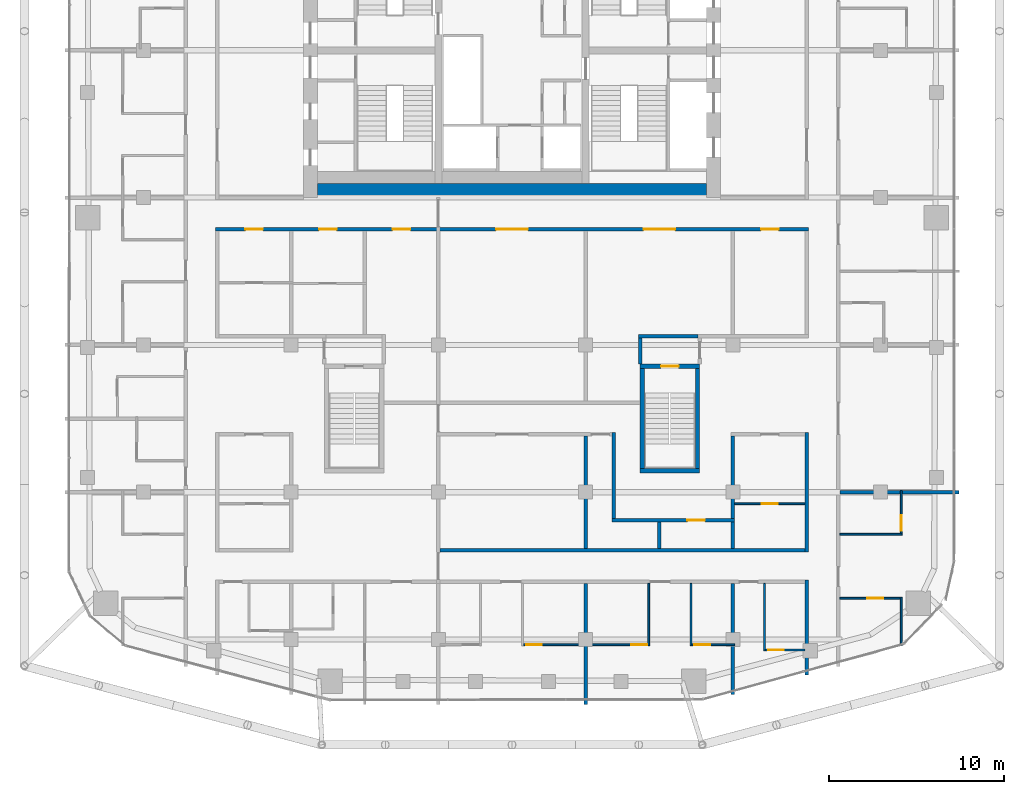
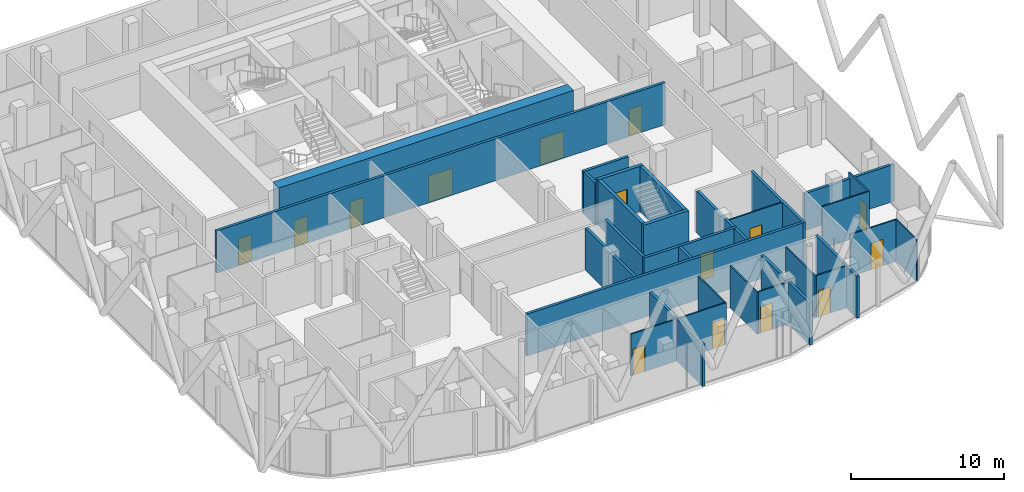
# One storey, part 22 of 28: 31 walls, 15 doors, 15 openings.
"""IFC4 building model written with IfcOpenShell, lengths in metres."""

from ifc_helpers import new_model, si_unit, direction, frame, frame_2d, origin, place, context, subcontext, project, spatial, rectangle, extrude, material, layer, layer_set, type_object, element, fill, save


model = new_model("IFC4")

# Units and contexts
model_context = context("Model", 3, precision=1e-05, world=origin(), true_north=direction((0.0, 1.0)))
body_context = subcontext(model_context, "Body", "Model", "MODEL_VIEW")
ifc_project = project(units=[si_unit("LENGTHUNIT", "METRE"), si_unit("AREAUNIT", "SQUARE_METRE"), si_unit("VOLUMEUNIT", "CUBIC_METRE"), si_unit("PLANEANGLEUNIT", "RADIAN"), si_unit("MASSUNIT", "GRAM", prefix="KILO")], contexts=[model_context])

# Site, building, storey
site_placement = place(None, origin())
site = spatial("IfcSite", under=ifc_project, at=site_placement, CompositionType="ELEMENT")
building_placement = place(site_placement, origin())
building = spatial("IfcBuilding", under=site, at=building_placement, Name="Marenta Gate Hotel Tower", CompositionType="ELEMENT")
storey_placement = place(building_placement, frame((0.0, 0.0, 198.5)))
storey = spatial("IfcBuildingStorey", under=building, at=storey_placement, Name="L45", CompositionType="ELEMENT", Elevation=198.5)

# Walls
ifc_material_1 = material(Name="Concrete C60", Category="concrete")
ifc_layer_1 = layer(ifc_material_1, 0.800048828125)
ifc_layer_set_1 = layer_set([ifc_layer_1], Name="Concrete C60")
wall_type_1 = type_object("IfcWallType", Name="Core wall 800 C60", PredefinedType="SHEAR", material=ifc_layer_set_1)
wall_1_placement = place(storey_placement, frame((-11.10009765625, 0.39990234375, 0.0), z_axis=(0.0, 0.0, 1.0), x_axis=(1.0, 0.0, 0.0)))
element("IfcWall", 1, at=wall_1_placement, inside=storey, type_object=wall_type_1, Name="L45-CORE-S", PredefinedType="SHEAR", context=body_context, shape_type="SweptSolid", body=[
    extrude(rectangle(XDim=22.2001953125, YDim=0.800048828125, at=frame_2d((11.10009765625, 0.0))), origin(), (0.0, 0.0, 1.0), 3.60009765625),
])
ifc_material_2 = material(Name="Concrete C40", Category="concrete")
ifc_layer_2 = layer(ifc_material_2, 0.25)
ifc_layer_set_2 = layer_set([ifc_layer_2], Name="Concrete C40")
wall_type_2 = type_object("IfcWallType", Name="Remote stair enclosure wall 250 REI 180", PredefinedType="SHEAR", material=ifc_layer_set_2)
wall_2_placement = place(storey_placement, frame((7.300048828125, -15.574951171875, 0.10009765625), z_axis=(0.0, 0.0, 1.0), x_axis=(1.0, 0.0, 0.0)))
element("IfcWall", 2, at=wall_2_placement, inside=storey, type_object=wall_type_2, Name="L45-RS-Z3-2-W1", PredefinedType="SHEAR", context=body_context, shape_type="SweptSolid", body=[
    extrude(rectangle(XDim=3.39990234375, YDim=0.25, at=frame_2d((1.699951171875, 0.0))), origin(), (0.0, 0.0, 1.0), 3.599853515625),
])

# Wall, opening, door
wall_3_placement = place(storey_placement, frame((7.300048828125, -9.625, 0.10009765625), z_axis=(0.0, 0.0, 1.0), x_axis=(1.0, 0.0, 0.0)))
wall_3 = element("IfcWall", 3, at=wall_3_placement, inside=storey, type_object=wall_type_2, Name="L45-RS-Z3-2-W2", PredefinedType="SHEAR", context=body_context, shape_type="SweptSolid", body=[
    extrude(rectangle(XDim=3.39990234375, YDim=0.25, at=frame_2d((1.699951171875, 0.0))), origin(), (0.0, 0.0, 1.0), 3.599853515625),
])
opening_1_placement = place(wall_3_placement, frame((1.199951171875, 0.0, 0.0)))
opening_1 = element("IfcOpeningElement", 4, at=opening_1_placement, cuts=wall_3, Name="Opening VD", PredefinedType="OPENING", context=body_context, shape_type="SweptSolid", body=[
    extrude(rectangle(XDim=1.0, YDim=2.10009765625, at=frame_2d((0.5, 1.050048828125))), frame((0.0, 0.125, 0.0), z_axis=(0.0, -1.0, 0.0), x_axis=(1.0, 0.0, 0.0)), (0.0, 0.0, 1.0), 0.25),
])
ifc_material_3 = material(Name="Steel", Category="steel")
door_type_1 = type_object("IfcDoorType", Name="Stair vestibule door 1000x2100 FD60", OperationType="SINGLE_SWING_LEFT", PredefinedType="DOOR", material=ifc_material_3)
door_1_placement = place(opening_1_placement, origin())
door_1 = element("IfcDoor", 5, at=door_1_placement, inside=storey, type_object=door_type_1, Name="VD", OperationType="SINGLE_SWING_LEFT", OverallHeight=2.10009765625, OverallWidth=1.0, PredefinedType="DOOR", context=body_context, shape_type="SweptSolid", body=[
    extrude(rectangle(XDim=1.0, YDim=2.10009765625, at=frame_2d((0.5, 1.050048828125))), frame((0.0, 0.02490234375, 0.0), z_axis=(0.0, -1.0, 0.0), x_axis=(1.0, 0.0, 0.0)), (0.0, 0.0, 1.0), 0.050048828125),
])
fill(opening_1, door_1)

# Walls
for number, where, z_axis, x_axis, name in (
    (6, (7.425048828125, -15.449951171875, 0.10009765625), (0.0, 0.0, 1.0), (0.0, 1.0, 0.0), "L45-RS-Z3-2-W3"),
    (7, (10.574951171875, -15.449951171875, 0.10009765625), (0.0, 0.0, 1.0), (0.0, 1.0, 0.0), "L45-RS-Z3-2-W4"),
):
    element("IfcWall", number, at=place(storey_placement, frame(where, z_axis=z_axis, x_axis=x_axis)), inside=storey, type_object=wall_type_2, Name=name, PredefinedType="SHEAR", context=body_context, shape_type="SweptSolid", body=[
        extrude(rectangle(XDim=5.699951171875, YDim=0.25, at=frame_2d((2.85009765625, 0.0))), origin(), (0.0, 0.0, 1.0), 3.599853515625),
    ])
ifc_material_4 = material(Name="Concrete blockwork", Category="masonry")
ifc_layer_3 = layer(ifc_material_4, 0.199951171875)
ifc_layer_set_3 = layer_set([ifc_layer_3], Name="Concrete blockwork")
wall_type_3 = type_object("IfcWallType", Name="Room corridor wall 200 EI 120", PredefinedType="PARTITIONING", material=ifc_layer_set_3)
wall_4_placement = place(storey_placement, frame((-4.10009765625, -20.10009765625, 0.0), z_axis=(0.0, 0.0, 1.0), x_axis=(1.0, 0.0, 0.0)))
element("IfcWall", 8, at=wall_4_placement, inside=storey, type_object=wall_type_3, Name="L45-PTN-W016", PredefinedType="PARTITIONING", context=body_context, shape_type="SweptSolid", body=[
    extrude(rectangle(XDim=20.800048828125, YDim=0.199951171875, at=frame_2d((10.39990234375, 0.0))), origin(), (0.0, 0.0, 1.0), 3.340087890625),
])
wall_5_placement = place(storey_placement, frame((16.800048828125, -20.199951171875, 0.0), z_axis=(0.0, 0.0, 1.0), x_axis=(0.0, 1.0, 0.0)))
element("IfcWall", 9, at=wall_5_placement, inside=storey, type_object=wall_type_3, Name="L45-PTN-W024", PredefinedType="PARTITIONING", context=body_context, shape_type="SweptSolid", body=[
    extrude(rectangle(XDim=6.800048828125, YDim=0.199951171875, at=frame_2d((3.39990234375, 0.0))), origin(), (0.0, 0.0, 1.0), 3.340087890625),
])
wall_6_placement = place(storey_placement, frame((12.60009765625, -18.300048828125, 0.0), z_axis=(0.0, 0.0, 1.0), x_axis=(0.0, 1.0, 0.0)))
element("IfcWall", 10, at=wall_6_placement, inside=storey, type_object=wall_type_3, Name="L45-PTN-W038", PredefinedType="PARTITIONING", context=body_context, shape_type="SweptSolid", body=[
    extrude(rectangle(XDim=4.699951171875, YDim=0.199951171875, at=frame_2d((2.35009765625, 0.0))), origin(), (0.0, 0.0, 1.0), 3.340087890625),
])

# Wall, openings, doors
wall_7_placement = place(storey_placement, frame((-16.89990234375, -1.800048828125, 0.0), z_axis=(0.0, 0.0, 1.0), x_axis=(1.0, 0.0, 0.0)))
wall_7 = element("IfcWall", 11, at=wall_7_placement, inside=storey, type_object=wall_type_3, Name="L45-PTN-W064", PredefinedType="PARTITIONING", context=body_context, shape_type="SweptSolid", body=[
    extrude(rectangle(XDim=33.7998046875, YDim=0.199951171875, at=frame_2d((16.89990234375, 0.0))), origin(), (0.0, 0.0, 1.0), 3.340087890625),
])
opening_2_placement = place(wall_7_placement, frame((1.699951171875, 0.0, 0.0)))
opening_2 = element("IfcOpeningElement", 12, at=opening_2_placement, cuts=wall_7, Name="Opening G16-01", PredefinedType="OPENING", context=body_context, shape_type="SweptSolid", body=[
    extrude(rectangle(XDim=1.0, YDim=2.10009765625, at=frame_2d((0.5, 1.050048828125))), frame((0.0, 0.10009765625, 0.0), z_axis=(0.0, -1.0, 0.0), x_axis=(1.0, 0.0, 0.0)), (0.0, 0.0, 1.0), 0.199951171875),
])
opening_3_placement = place(wall_7_placement, frame((5.89990234375, 0.0, 0.0)))
opening_3 = element("IfcOpeningElement", 13, at=opening_3_placement, cuts=wall_7, Name="Opening G16-03", PredefinedType="OPENING", context=body_context, shape_type="SweptSolid", body=[
    extrude(rectangle(XDim=1.0, YDim=2.10009765625, at=frame_2d((0.5, 1.050048828125))), frame((0.0, 0.10009765625, 0.0), z_axis=(0.0, -1.0, 0.0), x_axis=(1.0, 0.0, 0.0)), (0.0, 0.0, 1.0), 0.199951171875),
])
opening_4_placement = place(wall_7_placement, frame((10.10009765625, 0.0, 0.0)))
opening_4 = element("IfcOpeningElement", 14, at=opening_4_placement, cuts=wall_7, Name="Opening G16-05", PredefinedType="OPENING", context=body_context, shape_type="SweptSolid", body=[
    extrude(rectangle(XDim=1.0, YDim=2.10009765625, at=frame_2d((0.5, 1.050048828125))), frame((0.0, 0.10009765625, 0.0), z_axis=(0.0, -1.0, 0.0), x_axis=(1.0, 0.0, 0.0)), (0.0, 0.0, 1.0), 0.199951171875),
])
opening_5_placement = place(wall_7_placement, frame((16.0, 0.0, 0.0)))
opening_5 = element("IfcOpeningElement", 15, at=opening_5_placement, cuts=wall_7, Name="Opening G16-06", PredefinedType="OPENING", context=body_context, shape_type="SweptSolid", body=[
    extrude(rectangle(XDim=1.800048828125, YDim=2.10009765625, at=frame_2d((0.89990234375, 1.050048828125))), frame((0.0, 0.10009765625, 0.0), z_axis=(0.0, -1.0, 0.0), x_axis=(1.0, 0.0, 0.0)), (0.0, 0.0, 1.0), 0.199951171875),
])
opening_6_placement = place(wall_7_placement, frame((24.39990234375, 0.0, 0.0)))
opening_6 = element("IfcOpeningElement", 16, at=opening_6_placement, cuts=wall_7, Name="Opening G16-07", PredefinedType="OPENING", context=body_context, shape_type="SweptSolid", body=[
    extrude(rectangle(XDim=1.800048828125, YDim=2.10009765625, at=frame_2d((0.89990234375, 1.050048828125))), frame((0.0, 0.10009765625, 0.0), z_axis=(0.0, -1.0, 0.0), x_axis=(1.0, 0.0, 0.0)), (0.0, 0.0, 1.0), 0.199951171875),
])
opening_7_placement = place(wall_7_placement, frame((31.10009765625, 0.0, 0.0)))
opening_7 = element("IfcOpeningElement", 17, at=opening_7_placement, cuts=wall_7, Name="Opening G16-08", PredefinedType="OPENING", context=body_context, shape_type="SweptSolid", body=[
    extrude(rectangle(XDim=1.0, YDim=2.10009765625, at=frame_2d((0.5, 1.050048828125))), frame((0.0, 0.10009765625, 0.0), z_axis=(0.0, -1.0, 0.0), x_axis=(1.0, 0.0, 0.0)), (0.0, 0.0, 1.0), 0.199951171875),
])
ifc_material_5 = material(Name="Timber door leaf", Category="wood")
door_type_2 = type_object("IfcDoorType", Name="Room amenity door 1000x2100 EI 60", OperationType="NOTDEFINED", PredefinedType="DOOR", material=ifc_material_5)
door_2_placement = place(opening_4_placement, origin())
door_2 = element("IfcDoor", 18, at=door_2_placement, inside=storey, type_object=door_type_2, Name="L45-PD-D005", OperationType="SINGLE_SWING_RIGHT", OverallHeight=2.10009765625, OverallWidth=1.0, PredefinedType="DOOR", context=body_context, shape_type="SweptSolid", body=[
    extrude(rectangle(XDim=1.0, YDim=2.10009765625, at=frame_2d((0.5, 1.050048828125))), frame((0.0, 0.02490234375, 0.0), z_axis=(0.0, -1.0, 0.0), x_axis=(1.0, 0.0, 0.0)), (0.0, 0.0, 1.0), 0.050048828125),
])
fill(opening_4, door_2)
door_3_placement = place(opening_7_placement, origin())
door_3 = element("IfcDoor", 19, at=door_3_placement, inside=storey, type_object=door_type_2, Name="L45-PD-D008", OperationType="SINGLE_SWING_LEFT", OverallHeight=2.10009765625, OverallWidth=1.0, PredefinedType="DOOR", context=body_context, shape_type="SweptSolid", body=[
    extrude(rectangle(XDim=1.0, YDim=2.10009765625, at=frame_2d((0.5, 1.050048828125))), frame((0.0, 0.02490234375, 0.0), z_axis=(0.0, -1.0, 0.0), x_axis=(1.0, 0.0, 0.0)), (0.0, 0.0, 1.0), 0.050048828125),
])
fill(opening_7, door_3)
ifc_material_6 = material(Name="Timber door leaf", Category="wood")
door_type_3 = type_object("IfcDoorType", Name="Room amenity door 1800x2100 EI 60", OperationType="DOUBLE_DOOR_SINGLE_SWING", PredefinedType="DOOR", material=ifc_material_6)
door_4_placement = place(opening_5_placement, origin())
door_4 = element("IfcDoor", 20, at=door_4_placement, inside=storey, type_object=door_type_3, Name="L45-PD-D006", OperationType="DOUBLE_DOOR_SINGLE_SWING", OverallHeight=2.10009765625, OverallWidth=1.800048828125, PredefinedType="DOOR", context=body_context, shape_type="SweptSolid", body=[
    extrude(rectangle(XDim=1.800048828125, YDim=2.10009765625, at=frame_2d((0.89990234375, 1.050048828125))), frame((0.0, 0.02490234375, 0.0), z_axis=(0.0, -1.0, 0.0), x_axis=(1.0, 0.0, 0.0)), (0.0, 0.0, 1.0), 0.050048828125),
])
fill(opening_5, door_4)
door_5_placement = place(opening_6_placement, origin())
door_5 = element("IfcDoor", 21, at=door_5_placement, inside=storey, type_object=door_type_3, Name="L45-PD-D007", OperationType="DOUBLE_DOOR_SINGLE_SWING", OverallHeight=2.10009765625, OverallWidth=1.800048828125, PredefinedType="DOOR", context=body_context, shape_type="SweptSolid", body=[
    extrude(rectangle(XDim=1.800048828125, YDim=2.10009765625, at=frame_2d((0.89990234375, 1.050048828125))), frame((0.0, 0.02490234375, 0.0), z_axis=(0.0, -1.0, 0.0), x_axis=(1.0, 0.0, 0.0)), (0.0, 0.0, 1.0), 0.050048828125),
])
fill(opening_6, door_5)
ifc_material_7 = material(Name="Hollow steel door set", Category="steel")
door_type_4 = type_object("IfcDoorType", Name="Room service door 1000x2100 EI 60", OperationType="NOTDEFINED", PredefinedType="DOOR", material=ifc_material_7)
door_6_placement = place(opening_2_placement, origin())
door_6 = element("IfcDoor", 22, at=door_6_placement, inside=storey, type_object=door_type_4, Name="L45-PD-D001", OperationType="SINGLE_SWING_LEFT", OverallHeight=2.10009765625, OverallWidth=1.0, PredefinedType="DOOR", context=body_context, shape_type="SweptSolid", body=[
    extrude(rectangle(XDim=1.0, YDim=2.10009765625, at=frame_2d((0.5, 1.050048828125))), frame((0.0, 0.02490234375, 0.0), z_axis=(0.0, -1.0, 0.0), x_axis=(1.0, 0.0, 0.0)), (0.0, 0.0, 1.0), 0.050048828125),
])
fill(opening_2, door_6)
door_7_placement = place(opening_3_placement, origin())
door_7 = element("IfcDoor", 23, at=door_7_placement, inside=storey, type_object=door_type_4, Name="L45-PD-D003", OperationType="SINGLE_SWING_LEFT", OverallHeight=2.10009765625, OverallWidth=1.0, PredefinedType="DOOR", context=body_context, shape_type="SweptSolid", body=[
    extrude(rectangle(XDim=1.0, YDim=2.10009765625, at=frame_2d((0.5, 1.050048828125))), frame((0.0, 0.02490234375, 0.0), z_axis=(0.0, -1.0, 0.0), x_axis=(1.0, 0.0, 0.0)), (0.0, 0.0, 1.0), 0.050048828125),
])
fill(opening_3, door_7)

# Wall, opening, door
ifc_material_8 = material(Name="Gypsum board on steel stud", Category="steel")
ifc_layer_4 = layer(ifc_material_8, 0.199951171875)
ifc_layer_set_4 = layer_set([ifc_layer_4], Name="Gypsum board on steel stud")
wall_type_4 = type_object("IfcWallType", Name="Room corridor wall 200 EI 60", PredefinedType="PARTITIONING", material=ifc_layer_set_4)
wall_8_placement = place(storey_placement, frame((5.699951171875, -18.39990234375, 0.0), z_axis=(0.0, 0.0, 1.0), x_axis=(1.0, 0.0, 0.0)))
wall_8 = element("IfcWall", 24, at=wall_8_placement, inside=storey, type_object=wall_type_4, Name="L45-PTN-W020", PredefinedType="PARTITIONING", context=body_context, shape_type="SweptSolid", body=[
    extrude(rectangle(XDim=7.0, YDim=0.199951171875, at=frame_2d((3.5, 0.0))), origin(), (0.0, 0.0, 1.0), 3.340087890625),
])
opening_8_placement = place(wall_8_placement, frame((4.300048828125, 0.0, 0.0)))
opening_8 = element("IfcOpeningElement", 25, at=opening_8_placement, cuts=wall_8, Name="Opening G16-13", PredefinedType="OPENING", context=body_context, shape_type="SweptSolid", body=[
    extrude(rectangle(XDim=1.0, YDim=2.10009765625, at=frame_2d((0.5, 1.050048828125))), frame((0.0, 0.10009765625, 0.0), z_axis=(0.0, -1.0, 0.0), x_axis=(1.0, 0.0, 0.0)), (0.0, 0.0, 1.0), 0.199951171875),
])
ifc_material_9 = material(Name="Timber door leaf", Category="wood")
door_type_5 = type_object("IfcDoorType", Name="Room amenity door 1000x2100 EI 30", OperationType="NOTDEFINED", PredefinedType="DOOR", material=ifc_material_9)
door_8_placement = place(opening_8_placement, origin())
door_8 = element("IfcDoor", 26, at=door_8_placement, inside=storey, type_object=door_type_5, Name="L45-PD-D013", OperationType="SINGLE_SWING_RIGHT", OverallHeight=2.10009765625, OverallWidth=1.0, PredefinedType="DOOR", context=body_context, shape_type="SweptSolid", body=[
    extrude(rectangle(XDim=1.0, YDim=2.10009765625, at=frame_2d((0.5, 1.050048828125))), frame((0.0, 0.02490234375, 0.0), z_axis=(0.0, -1.0, 0.0), x_axis=(1.0, 0.0, 0.0)), (0.0, 0.0, 1.0), 0.050048828125),
])
fill(opening_8, door_8)

# Walls
wall_9_placement = place(storey_placement, frame((16.800048828125, -27.22900390625, 0.0), z_axis=(0.0, 0.0, 1.0), x_axis=(0.0, 1.0, 0.0)))
element("IfcWall", 27, at=wall_9_placement, inside=storey, type_object=wall_type_4, Name="L45-PTN-W023", PredefinedType="PARTITIONING", context=body_context, shape_type="SweptSolid", body=[
    extrude(rectangle(XDim=5.428955078125, YDim=0.199951171875, at=frame_2d((2.71435546875, 0.0))), origin(), (0.0, 0.0, 1.0), 3.340087890625),
])
wall_10_placement = place(storey_placement, frame((5.800048828125, -18.300048828125, 0.0), z_axis=(0.0, 0.0, 1.0), x_axis=(0.0, 1.0, 0.0)))
element("IfcWall", 28, at=wall_10_placement, inside=storey, type_object=wall_type_4, Name="L45-PTN-W054", PredefinedType="PARTITIONING", context=body_context, shape_type="SweptSolid", body=[
    extrude(rectangle(XDim=4.900146484375, YDim=0.199951171875, at=frame_2d((2.4501953125, 0.0))), origin(), (0.0, 0.0, 1.0), 3.340087890625),
])

# Wall, opening, door
ifc_material_10 = material(Name="Gypsum board on steel stud", Category="steel")
ifc_layer_5 = layer(ifc_material_10, 0.10009765625)
ifc_layer_set_5 = layer_set([ifc_layer_5], Name="Gypsum board on steel stud")
wall_type_5 = type_object("IfcWallType", Name="Room partition 100", PredefinedType="PARTITIONING", material=ifc_layer_set_5)
wall_11_placement = place(storey_placement, frame((14.449951171875, -25.800048828125, 0.0), z_axis=(0.0, 0.0, 1.0), x_axis=(1.0, 0.0, 0.0)))
wall_11 = element("IfcWall", 29, at=wall_11_placement, inside=storey, type_object=wall_type_5, Name="L45-PTN-W001", PredefinedType="PARTITIONING", context=body_context, shape_type="SweptSolid", body=[
    extrude(rectangle(XDim=2.25, YDim=0.10009765625, at=frame_2d((1.125, 0.0))), origin(), (0.0, 0.0, 1.0), 3.340087890625),
])
opening_9_placement = place(wall_11_placement, frame((0.14990234375, 0.0, 0.0)))
opening_9 = element("IfcOpeningElement", 30, at=opening_9_placement, cuts=wall_11, Name="Opening G16-45", PredefinedType="OPENING", context=body_context, shape_type="SweptSolid", body=[
    extrude(rectangle(XDim=0.89990234375, YDim=2.10009765625, at=frame_2d((0.449951171875, 1.050048828125))), frame((0.0, 0.050048828125, 0.0), z_axis=(0.0, -1.0, 0.0), x_axis=(1.0, 0.0, 0.0)), (0.0, 0.0, 1.0), 0.10009765625),
])
ifc_material_11 = material(Name="Timber door leaf", Category="wood")
door_type_6 = type_object("IfcDoorType", Name="Guest bathroom door 900x2100", OperationType="NOTDEFINED", PredefinedType="DOOR", material=ifc_material_11)
door_9_placement = place(opening_9_placement, origin())
door_9 = element("IfcDoor", 31, at=door_9_placement, inside=storey, type_object=door_type_6, Name="L45-PD-D045", OperationType="SINGLE_SWING_LEFT", OverallHeight=2.10009765625, OverallWidth=0.89990234375, PredefinedType="DOOR", context=body_context, shape_type="SweptSolid", body=[
    extrude(rectangle(XDim=0.89990234375, YDim=2.10009765625, at=frame_2d((0.449951171875, 1.050048828125))), frame((0.0, 0.02490234375, 0.0), z_axis=(0.0, -1.0, 0.0), x_axis=(1.0, 0.0, 0.0)), (0.0, 0.0, 1.0), 0.050048828125),
])
fill(opening_9, door_9)

# Wall, openings, doors
wall_12_placement = place(storey_placement, frame((0.64990234375, -25.5, 0.0), z_axis=(0.0, 0.0, 1.0), x_axis=(1.0, 0.0, 0.0)))
wall_12 = element("IfcWall", 32, at=wall_12_placement, inside=storey, type_object=wall_type_5, Name="L45-PTN-W003", PredefinedType="PARTITIONING", context=body_context, shape_type="SweptSolid", body=[
    extrude(rectangle(XDim=7.2001953125, YDim=0.10009765625, at=frame_2d((3.60009765625, 0.0))), origin(), (0.0, 0.0, 1.0), 3.340087890625),
])
opening_10_placement = place(wall_12_placement, frame((0.14990234375, 0.0, 0.0)))
opening_10 = element("IfcOpeningElement", 33, at=opening_10_placement, cuts=wall_12, Name="Opening G16-39", PredefinedType="OPENING", context=body_context, shape_type="SweptSolid", body=[
    extrude(rectangle(XDim=0.89990234375, YDim=2.10009765625, at=frame_2d((0.449951171875, 1.050048828125))), frame((0.0, 0.050048828125, 0.0), z_axis=(0.0, -1.0, 0.0), x_axis=(1.0, 0.0, 0.0)), (0.0, 0.0, 1.0), 0.10009765625),
])
opening_11_placement = place(wall_12_placement, frame((6.14990234375, 0.0, 0.0)))
opening_11 = element("IfcOpeningElement", 34, at=opening_11_placement, cuts=wall_12, Name="Opening G16-42", PredefinedType="OPENING", context=body_context, shape_type="SweptSolid", body=[
    extrude(rectangle(XDim=0.89990234375, YDim=2.10009765625, at=frame_2d((0.449951171875, 1.050048828125))), frame((0.0, 0.050048828125, 0.0), z_axis=(0.0, -1.0, 0.0), x_axis=(1.0, 0.0, 0.0)), (0.0, 0.0, 1.0), 0.10009765625),
])
door_10_placement = place(opening_10_placement, origin())
door_10 = element("IfcDoor", 35, at=door_10_placement, inside=storey, type_object=door_type_6, Name="L45-PD-D039", OperationType="SINGLE_SWING_LEFT", OverallHeight=2.10009765625, OverallWidth=0.89990234375, PredefinedType="DOOR", context=body_context, shape_type="SweptSolid", body=[
    extrude(rectangle(XDim=0.89990234375, YDim=2.10009765625, at=frame_2d((0.449951171875, 1.050048828125))), frame((0.0, 0.02490234375, 0.0), z_axis=(0.0, -1.0, 0.0), x_axis=(1.0, 0.0, 0.0)), (0.0, 0.0, 1.0), 0.050048828125),
])
fill(opening_10, door_10)
door_11_placement = place(opening_11_placement, origin())
door_11 = element("IfcDoor", 36, at=door_11_placement, inside=storey, type_object=door_type_6, Name="L45-PD-D042", OperationType="SINGLE_SWING_RIGHT", OverallHeight=2.10009765625, OverallWidth=0.89990234375, PredefinedType="DOOR", context=body_context, shape_type="SweptSolid", body=[
    extrude(rectangle(XDim=0.89990234375, YDim=2.10009765625, at=frame_2d((0.449951171875, 1.050048828125))), frame((0.0, 0.02490234375, 0.0), z_axis=(0.0, -1.0, 0.0), x_axis=(1.0, 0.0, 0.0)), (0.0, 0.0, 1.0), 0.050048828125),
])
fill(opening_11, door_11)

# Wall, opening, door
wall_13_placement = place(storey_placement, frame((10.25, -25.5, 0.0), z_axis=(0.0, 0.0, 1.0), x_axis=(1.0, 0.0, 0.0)))
wall_13 = element("IfcWall", 37, at=wall_13_placement, inside=storey, type_object=wall_type_5, Name="L45-PTN-W004", PredefinedType="PARTITIONING", context=body_context, shape_type="SweptSolid", body=[
    extrude(rectangle(XDim=2.449951171875, YDim=0.10009765625, at=frame_2d((1.22509765625, 0.0))), origin(), (0.0, 0.0, 1.0), 3.340087890625),
])
opening_12_placement = place(wall_13_placement, frame((0.14990234375, 0.0, 0.0)))
opening_12 = element("IfcOpeningElement", 38, at=opening_12_placement, cuts=wall_13, Name="Opening G16-43", PredefinedType="OPENING", context=body_context, shape_type="SweptSolid", body=[
    extrude(rectangle(XDim=0.89990234375, YDim=2.10009765625, at=frame_2d((0.449951171875, 1.050048828125))), frame((0.0, 0.050048828125, 0.0), z_axis=(0.0, -1.0, 0.0), x_axis=(1.0, 0.0, 0.0)), (0.0, 0.0, 1.0), 0.10009765625),
])
ifc_material_12 = material(Name="Timber door leaf", Category="wood")
door_type_7 = type_object("IfcDoorType", Name="Room inner door 900x2100", OperationType="NOTDEFINED", PredefinedType="DOOR", material=ifc_material_12)
door_12_placement = place(opening_12_placement, origin())
door_12 = element("IfcDoor", 39, at=door_12_placement, inside=storey, type_object=door_type_7, Name="L45-PD-D043", OperationType="SINGLE_SWING_LEFT", OverallHeight=2.10009765625, OverallWidth=0.89990234375, PredefinedType="DOOR", context=body_context, shape_type="SweptSolid", body=[
    extrude(rectangle(XDim=0.89990234375, YDim=2.10009765625, at=frame_2d((0.449951171875, 1.050048828125))), frame((0.0, 0.02490234375, 0.0), z_axis=(0.0, -1.0, 0.0), x_axis=(1.0, 0.0, 0.0)), (0.0, 0.0, 1.0), 0.050048828125),
])
fill(opening_12, door_12)

wall_14_placement = place(storey_placement, frame((18.699951171875, -22.85107421875, 0.0), z_axis=(0.0, 0.0, 1.0), x_axis=(1.0, 0.0, 0.0)))
wall_14 = element("IfcWall", 40, at=wall_14_placement, inside=storey, type_object=wall_type_5, Name="L45-PTN-W008", PredefinedType="PARTITIONING", context=body_context, shape_type="SweptSolid", body=[
    extrude(rectangle(XDim=3.449951171875, YDim=0.10009765625, at=frame_2d((1.72509765625, 0.0))), origin(), (0.0, 0.0, 1.0), 3.340087890625),
])
opening_13_placement = place(wall_14_placement, frame((1.56005859375, 0.0, 0.0)))
opening_13 = element("IfcOpeningElement", 41, at=opening_13_placement, cuts=wall_14, Name="Opening G16-17", PredefinedType="OPENING", context=body_context, shape_type="SweptSolid", body=[
    extrude(rectangle(XDim=0.89990234375, YDim=2.10009765625, at=frame_2d((0.449951171875, 1.050048828125))), frame((0.0, 0.050048828125, 0.0), z_axis=(0.0, -1.0, 0.0), x_axis=(1.0, 0.0, 0.0)), (0.0, 0.0, 1.0), 0.10009765625),
])
door_13_placement = place(opening_13_placement, origin())
door_13 = element("IfcDoor", 42, at=door_13_placement, inside=storey, type_object=door_type_6, Name="L45-PD-D017", OperationType="SINGLE_SWING_LEFT", OverallHeight=2.10009765625, OverallWidth=0.89990234375, PredefinedType="DOOR", context=body_context, shape_type="SweptSolid", body=[
    extrude(rectangle(XDim=0.89990234375, YDim=2.10009765625, at=frame_2d((0.449951171875, 1.050048828125))), frame((0.0, 0.02490234375, 0.0), z_axis=(0.0, -1.0, 0.0), x_axis=(1.0, 0.0, 0.0)), (0.0, 0.0, 1.0), 0.050048828125),
])
fill(opening_13, door_13)

# Wall
wall_15_placement = place(storey_placement, frame((22.199951171875, -25.552001953125, 0.0), z_axis=(0.0, 0.0, 1.0), x_axis=(0.0, 1.0, 0.0)))
element("IfcWall", 43, at=wall_15_placement, inside=storey, type_object=wall_type_5, Name="L45-PTN-W011", PredefinedType="PARTITIONING", context=body_context, shape_type="SweptSolid", body=[
    extrude(rectangle(XDim=2.7509765625, YDim=0.10009765625, at=frame_2d((1.37548828125, 0.0))), origin(), (0.0, 0.0, 1.0), 3.340087890625),
])

# Wall, opening, door
wall_16_placement = place(storey_placement, frame((22.199951171875, -19.14990234375, 0.0), z_axis=(0.0, 0.0, 1.0), x_axis=(0.0, 1.0, 0.0)))
wall_16 = element("IfcWall", 44, at=wall_16_placement, inside=storey, type_object=wall_type_5, Name="L45-PTN-W012", PredefinedType="PARTITIONING", context=body_context, shape_type="SweptSolid", body=[
    extrude(rectangle(XDim=2.449951171875, YDim=0.10009765625, at=frame_2d((1.22509765625, 0.0))), origin(), (0.0, 0.0, 1.0), 3.340087890625),
])
opening_14_placement = place(wall_16_placement, frame((0.14990234375, 0.0, 0.0)))
opening_14 = element("IfcOpeningElement", 45, at=opening_14_placement, cuts=wall_16, Name="Opening G16-18", PredefinedType="OPENING", context=body_context, shape_type="SweptSolid", body=[
    extrude(rectangle(XDim=0.89990234375, YDim=2.10009765625, at=frame_2d((0.449951171875, 1.050048828125))), frame((0.0, 0.050048828125, 0.0), z_axis=(0.0, -1.0, 0.0), x_axis=(1.0, 0.0, 0.0)), (0.0, 0.0, 1.0), 0.10009765625),
])
door_14_placement = place(opening_14_placement, origin())
door_14 = element("IfcDoor", 46, at=door_14_placement, inside=storey, type_object=door_type_7, Name="L45-PD-D018", OperationType="SINGLE_SWING_LEFT", OverallHeight=2.10009765625, OverallWidth=0.89990234375, PredefinedType="DOOR", context=body_context, shape_type="SweptSolid", body=[
    extrude(rectangle(XDim=0.89990234375, YDim=2.10009765625, at=frame_2d((0.449951171875, 1.050048828125))), frame((0.0, 0.02490234375, 0.0), z_axis=(0.0, -1.0, 0.0), x_axis=(1.0, 0.0, 0.0)), (0.0, 0.0, 1.0), 0.050048828125),
])
fill(opening_14, door_14)

# Wall
wall_17_placement = place(storey_placement, frame((18.699951171875, -19.199951171875, 0.0), z_axis=(0.0, 0.0, 1.0), x_axis=(1.0, 0.0, 0.0)))
element("IfcWall", 47, at=wall_17_placement, inside=storey, type_object=wall_type_5, Name="L45-PTN-W018", PredefinedType="PARTITIONING", context=body_context, shape_type="SweptSolid", body=[
    extrude(rectangle(XDim=3.550048828125, YDim=0.10009765625, at=frame_2d((1.77490234375, 0.0))), origin(), (0.0, 0.0, 1.0), 3.340087890625),
])

# Wall, opening, door
wall_18_placement = place(storey_placement, frame((12.699951171875, -17.4599609375, 0.0), z_axis=(0.0, 0.0, 1.0), x_axis=(1.0, 0.0, 0.0)))
wall_18 = element("IfcWall", 48, at=wall_18_placement, inside=storey, type_object=wall_type_5, Name="L45-PTN-W022", PredefinedType="PARTITIONING", context=body_context, shape_type="SweptSolid", body=[
    extrude(rectangle(XDim=4.0, YDim=0.10009765625, at=frame_2d((2.0, 0.0))), origin(), (0.0, 0.0, 1.0), 3.340087890625),
])
opening_15_placement = place(wall_18_placement, frame((1.550048828125, 0.0, 0.0)))
opening_15 = element("IfcOpeningElement", 49, at=opening_15_placement, cuts=wall_18, Name="Opening G16-15", PredefinedType="OPENING", context=body_context, shape_type="SweptSolid", body=[
    extrude(rectangle(XDim=0.89990234375, YDim=2.10009765625, at=frame_2d((0.449951171875, 1.050048828125))), frame((0.0, 0.050048828125, 0.0), z_axis=(0.0, -1.0, 0.0), x_axis=(1.0, 0.0, 0.0)), (0.0, 0.0, 1.0), 0.10009765625),
])
door_15_placement = place(opening_15_placement, origin())
door_15 = element("IfcDoor", 50, at=door_15_placement, inside=storey, type_object=door_type_7, Name="L45-PD-D015", OperationType="SINGLE_SWING_RIGHT", OverallHeight=2.10009765625, OverallWidth=0.89990234375, PredefinedType="DOOR", context=body_context, shape_type="SweptSolid", body=[
    extrude(rectangle(XDim=0.89990234375, YDim=2.10009765625, at=frame_2d((0.449951171875, 1.050048828125))), frame((0.0, 0.02490234375, 0.0), z_axis=(0.0, -1.0, 0.0), x_axis=(1.0, 0.0, 0.0)), (0.0, 0.0, 1.0), 0.050048828125),
])
fill(opening_15, door_15)

# Walls
wall_19_placement = place(storey_placement, frame((14.39990234375, -25.85009765625, 0.0), z_axis=(0.0, 0.0, 1.0), x_axis=(0.0, 1.0, 0.0)))
element("IfcWall", 51, at=wall_19_placement, inside=storey, type_object=wall_type_5, Name="L45-PTN-W030", PredefinedType="PARTITIONING", context=body_context, shape_type="SweptSolid", body=[
    extrude(rectangle(XDim=3.85009765625, YDim=0.10009765625, at=frame_2d((1.925048828125, 0.0))), origin(), (0.0, 0.0, 1.0), 3.340087890625),
])
wall_20_placement = place(storey_placement, frame((10.199951171875, -25.550048828125, 0.0), z_axis=(0.0, 0.0, 1.0), x_axis=(0.0, 1.0, 0.0)))
element("IfcWall", 52, at=wall_20_placement, inside=storey, type_object=wall_type_5, Name="L45-PTN-W042", PredefinedType="PARTITIONING", context=body_context, shape_type="SweptSolid", body=[
    extrude(rectangle(XDim=3.550048828125, YDim=0.10009765625, at=frame_2d((1.77490234375, 0.0))), origin(), (0.0, 0.0, 1.0), 3.340087890625),
])
wall_21_placement = place(storey_placement, frame((7.800048828125, -25.449951171875, 0.0), z_axis=(0.0, 0.0, 1.0), x_axis=(0.0, 1.0, 0.0)))
element("IfcWall", 53, at=wall_21_placement, inside=storey, type_object=wall_type_5, Name="L45-PTN-W051", PredefinedType="PARTITIONING", context=body_context, shape_type="SweptSolid", body=[
    extrude(rectangle(XDim=3.449951171875, YDim=0.10009765625, at=frame_2d((1.72509765625, 0.0))), origin(), (0.0, 0.0, 1.0), 3.340087890625),
])
ifc_material_13 = material(Name="Concrete blockwork", Category="masonry")
ifc_layer_6 = layer(ifc_material_13, 0.199951171875)
ifc_layer_set_6 = layer_set([ifc_layer_6], Name="Concrete blockwork")
wall_type_6 = type_object("IfcWallType", Name="Room party wall 200 EI 120", PredefinedType="PARTITIONING", material=ifc_layer_set_6)
wall_22_placement = place(storey_placement, frame((12.60009765625, -20.0, 0.0), z_axis=(0.0, 0.0, 1.0), x_axis=(0.0, 1.0, 0.0)))
element("IfcWall", 54, at=wall_22_placement, inside=storey, type_object=wall_type_6, Name="L45-PTN-W035", PredefinedType="PARTITIONING", context=body_context, shape_type="SweptSolid", body=[
    extrude(rectangle(XDim=1.5, YDim=0.199951171875, at=frame_2d((0.75, 0.0))), origin(), (0.0, 0.0, 1.0), 3.340087890625),
])
ifc_material_14 = material(Name="Gypsum board on steel stud", Category="steel")
ifc_layer_7 = layer(ifc_material_14, 0.199951171875)
ifc_layer_set_7 = layer_set([ifc_layer_7], Name="Gypsum board on steel stud")
wall_type_7 = type_object("IfcWallType", Name="Room party wall 200 EI 60", PredefinedType="PARTITIONING", material=ifc_layer_set_7)
wall_23_placement = place(storey_placement, frame((18.699951171875, -16.800048828125, 0.0), z_axis=(0.0, 0.0, 1.0), x_axis=(1.0, 0.0, 0.0)))
element("IfcWall", 55, at=wall_23_placement, inside=storey, type_object=wall_type_7, Name="L45-PTN-W028", PredefinedType="PARTITIONING", context=body_context, shape_type="SweptSolid", body=[
    extrude(rectangle(XDim=6.800048828125, YDim=0.199951171875, at=frame_2d((3.39990234375, 0.0))), origin(), (0.0, 0.0, 1.0), 2.93994140625),
])
wall_24_placement = place(storey_placement, frame((12.60009765625, -28.343017578125, 0.0), z_axis=(0.0, 0.0, 1.0), x_axis=(0.0, 1.0, 0.0)))
element("IfcWall", 56, at=wall_24_placement, inside=storey, type_object=wall_type_7, Name="L45-PTN-W034", PredefinedType="PARTITIONING", context=body_context, shape_type="SweptSolid", body=[
    extrude(rectangle(XDim=6.343017578125, YDim=0.199951171875, at=frame_2d((3.17138671875, 0.0))), origin(), (0.0, 0.0, 1.0), 3.340087890625),
])
wall_25_placement = place(storey_placement, frame((8.39990234375, -20.0, 0.0), z_axis=(0.0, 0.0, 1.0), x_axis=(0.0, 1.0, 0.0)))
element("IfcWall", 57, at=wall_25_placement, inside=storey, type_object=wall_type_7, Name="L45-PTN-W044", PredefinedType="PARTITIONING", context=body_context, shape_type="SweptSolid", body=[
    extrude(rectangle(XDim=1.5, YDim=0.199951171875, at=frame_2d((0.75, 0.0))), origin(), (0.0, 0.0, 1.0), 3.340087890625),
])
wall_26_placement = place(storey_placement, frame((4.199951171875, -28.89990234375, 0.0), z_axis=(0.0, 0.0, 1.0), x_axis=(0.0, 1.0, 0.0)))
element("IfcWall", 58, at=wall_26_placement, inside=storey, type_object=wall_type_7, Name="L45-PTN-W058", PredefinedType="PARTITIONING", context=body_context, shape_type="SweptSolid", body=[
    extrude(rectangle(XDim=6.89990234375, YDim=0.199951171875, at=frame_2d((3.449951171875, 0.0))), origin(), (0.0, 0.0, 1.0), 3.340087890625),
])
wall_27_placement = place(storey_placement, frame((4.199951171875, -20.0, 0.0), z_axis=(0.0, 0.0, 1.0), x_axis=(0.0, 1.0, 0.0)))
element("IfcWall", 59, at=wall_27_placement, inside=storey, type_object=wall_type_7, Name="L45-PTN-W059", PredefinedType="PARTITIONING", context=body_context, shape_type="SweptSolid", body=[
    extrude(rectangle(XDim=6.39990234375, YDim=0.199951171875, at=frame_2d((3.199951171875, 0.0))), origin(), (0.0, 0.0, 1.0), 3.340087890625),
])
ifc_material_15 = material(Name="Concrete blockwork", Category="masonry")
ifc_layer_8 = layer(ifc_material_15, 0.199951171875)
ifc_layer_set_8 = layer_set([ifc_layer_8], Name="Concrete blockwork")
wall_type_8 = type_object("IfcWallType", Name="Room party wall 200 REI 180", PredefinedType="PARTITIONING", material=ifc_layer_set_8)
wall_28_placement = place(storey_placement, frame((7.199951171875, -7.89990234375, 0.0), z_axis=(0.0, 0.0, 1.0), x_axis=(1.0, 0.0, 0.0)))
element("IfcWall", 60, at=wall_28_placement, inside=storey, type_object=wall_type_8, Name="L45-PTN-W050", PredefinedType="PARTITIONING", context=body_context, shape_type="SweptSolid", body=[
    extrude(rectangle(XDim=3.400146484375, YDim=0.199951171875, at=frame_2d((1.7001953125, 0.0))), origin(), (0.0, 0.0, 1.0), 3.340087890625),
])
wall_29_placement = place(storey_placement, frame((7.300048828125, -9.5, 0.0), z_axis=(0.0, 0.0, 1.0), x_axis=(0.0, 1.0, 0.0)))
element("IfcWall", 61, at=wall_29_placement, inside=storey, type_object=wall_type_8, Name="L45-PTN-W052", PredefinedType="PARTITIONING", context=body_context, shape_type="SweptSolid", body=[
    extrude(rectangle(XDim=1.5, YDim=0.199951171875, at=frame_2d((0.75, 0.0))), origin(), (0.0, 0.0, 1.0), 3.340087890625),
])

save(model, "model.ifc")
